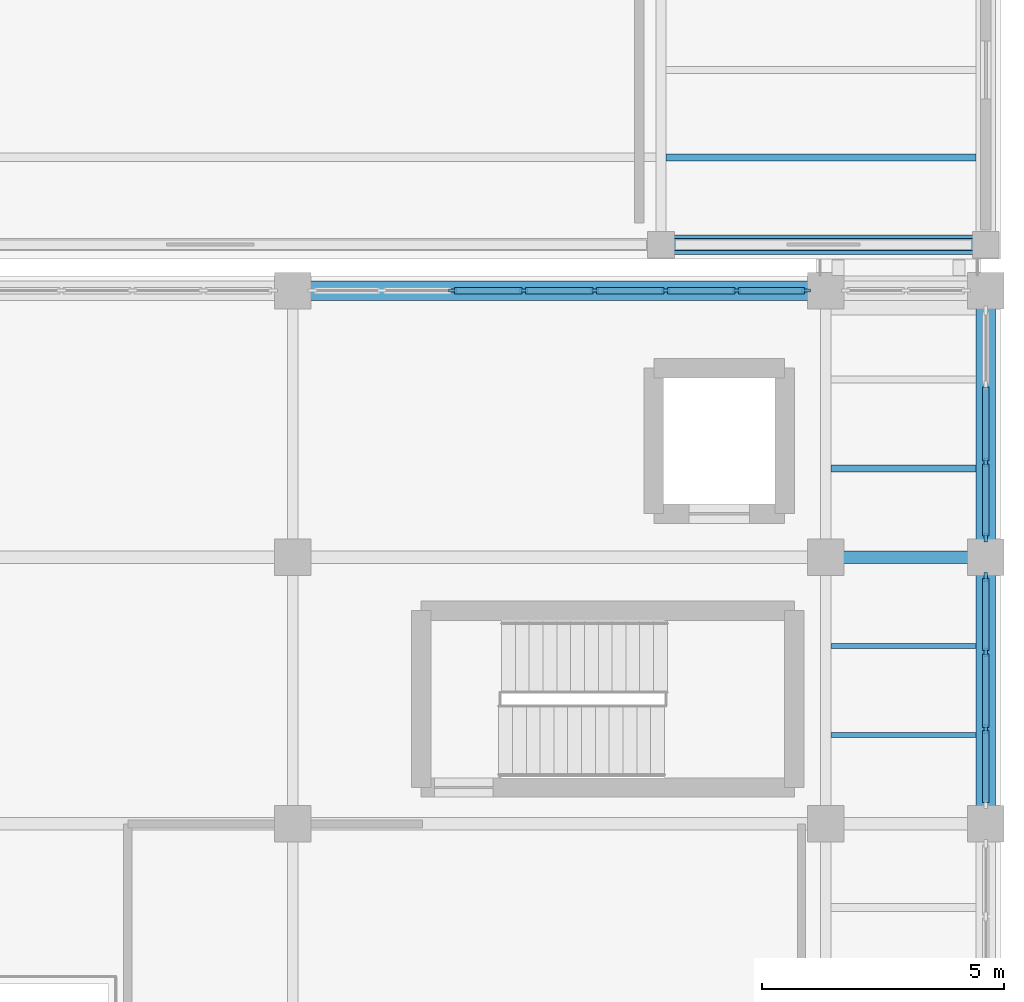
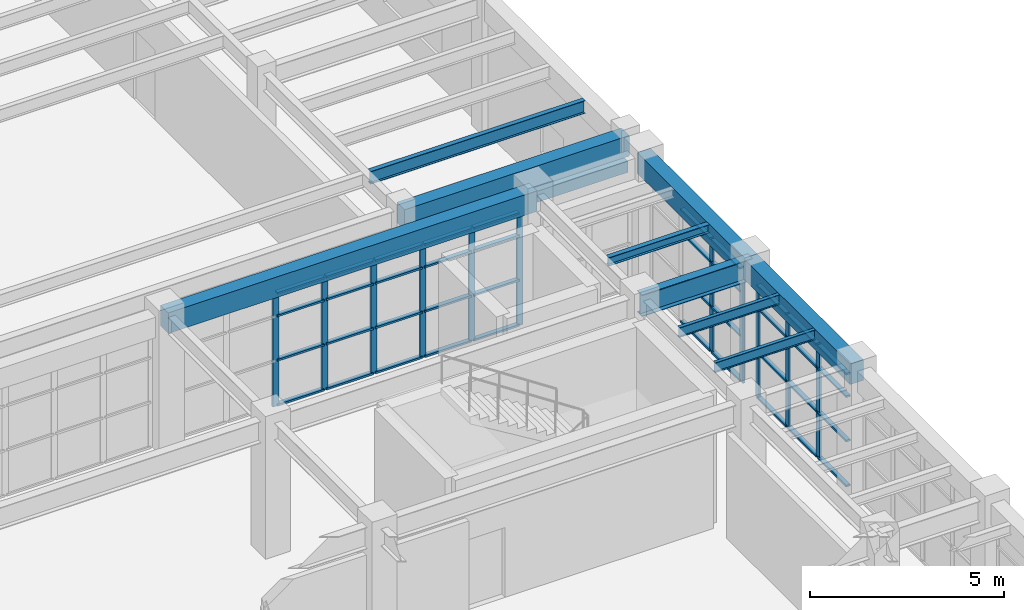
# One storey, part 45 of 85: 51 members, 10 beams, 3 elements without a shape of their own.
"""IFC4 building model written with IfcOpenShell, lengths in metres."""

from ifc_helpers import new_model, si_unit, direction, frame, origin, origin_2d, place, context, subcontext, project, spatial, rectangle, i_section, extrude, material, layer, layer_set, material_profile, profile_set, type_object, element, aggregate, save


model = new_model("IFC4")

# Units and contexts
model_context = context("Model", 3, precision=1e-05, world=origin(), true_north=direction((0.0, 1.0)))
body_context = subcontext(model_context, "Body", "Model", "MODEL_VIEW")
ifc_project = project(units=[si_unit("LENGTHUNIT", "METRE"), si_unit("AREAUNIT", "SQUARE_METRE"), si_unit("VOLUMEUNIT", "CUBIC_METRE"), si_unit("PLANEANGLEUNIT", "RADIAN"), si_unit("MASSUNIT", "GRAM", prefix="KILO")], contexts=[model_context])

# Site, building, storey
site_placement = place(None, origin())
site = spatial("IfcSite", under=ifc_project, at=site_placement, CompositionType="ELEMENT")
building_placement = place(site_placement, origin())
building = spatial("IfcBuilding", under=site, at=building_placement, Name="Candilejo Ridge Gondola Terminal", CompositionType="ELEMENT")
storey_placement = place(building_placement, frame((0.0, 0.0, 4.5)))
storey = spatial("IfcBuildingStorey", under=building, at=storey_placement, Name="L01", CompositionType="ELEMENT", Elevation=4.5)

# Curtain wall, members
ifc_material_1 = material(Name="Anodised aluminium AA 6063-T6", Category="aluminium")
ifc_layer_1 = layer(ifc_material_1, 0.169921875)
ifc_layer_set_1 = layer_set([ifc_layer_1], Name="ARC-CW-HALL-3800-475X359")
curtain_wall_type_1 = type_object("IfcCurtainWallType", Name="ARC-CW-HALL-3800-475X359", PredefinedType="NOTDEFINED", material=ifc_layer_set_1)
curtain_wall_1_placement = place(storey_placement, origin())
curtain_wall_1 = element("IfcCurtainWall", 1, at=curtain_wall_1_placement, inside=storey, type_object=curtain_wall_type_1, Name="Curtain wall V4 L01-119", PredefinedType="NOTDEFINED")
ifc_material_2 = material(Name="Anodised aluminium AA 6063-T6", Category="aluminium")
ifc_material_profile_1 = material_profile(ifc_material_2, rectangle(XDim=0.06494140625, YDim=0.179931640625, at=origin_2d()))
ifc_profile_set_1 = profile_set([ifc_material_profile_1], Name="Anodised aluminium AA 6063-T6")
member_type_1 = type_object("IfcMemberType", Name="ARC-CW-MULLION-180", PredefinedType="MULLION", material=ifc_profile_set_1)
member_1_placement = place(storey_placement, frame((175.300048828125, 38.658447265625, 0.0), z_axis=(0.0, 0.0, 1.0), x_axis=(-1.0, 0.0, 0.0)))
member_1 = element("IfcMember", 2, at=member_1_placement, type_object=member_type_1, Name="CW-47X35 mullion 2", PredefinedType="MULLION", context=body_context, shape_type="SweptSolid", body=[
    extrude(rectangle(XDim=0.06494140625, YDim=0.179931640625, at=origin_2d()), origin(), (0.0, 0.0, 1.0), 3.590087890625),
])
member_2_placement = place(storey_placement, frame((175.300048828125, 40.24169921875, 0.0), z_axis=(0.0, 0.0, 1.0), x_axis=(-1.0, 0.0, 0.0)))
member_2 = element("IfcMember", 3, at=member_2_placement, type_object=member_type_1, Name="CW-47X35 mullion 3", PredefinedType="MULLION", context=body_context, shape_type="SweptSolid", body=[
    extrude(rectangle(XDim=0.06494140625, YDim=0.179931640625, at=origin_2d()), origin(), (0.0, 0.0, 1.0), 3.590087890625),
])
member_3_placement = place(storey_placement, frame((175.300048828125, 41.79248046875, 0.0), z_axis=(0.0, 0.0, 1.0), x_axis=(-1.0, 0.0, 0.0)))
member_3 = element("IfcMember", 4, at=member_3_placement, type_object=member_type_1, Name="CW-47X35 mullion 4", PredefinedType="MULLION", context=body_context, shape_type="SweptSolid", body=[
    extrude(rectangle(XDim=0.06494140625, YDim=0.179931640625, at=origin_2d()), origin(), (0.0, 0.0, 1.0), 3.590087890625),
])

curtain_wall_2_placement = place(storey_placement, origin())
curtain_wall_2 = element("IfcCurtainWall", 5, at=curtain_wall_2_placement, inside=storey, type_object=curtain_wall_type_1, Name="Curtain wall V4 L01-121", PredefinedType="NOTDEFINED")
member_4_placement = place(storey_placement, frame((175.300048828125, 42.607421875, 0.0), z_axis=(0.0, 0.0, 1.0), x_axis=(-1.0, 0.0, 0.0)))
member_4 = element("IfcMember", 6, at=member_4_placement, type_object=member_type_1, Name="CW-47X35 mullion 1", PredefinedType="MULLION", context=body_context, shape_type="SweptSolid", body=[
    extrude(rectangle(XDim=0.06494140625, YDim=0.179931640625, at=origin_2d()), origin(), (0.0, 0.0, 1.0), 3.590087890625),
])
member_5_placement = place(storey_placement, frame((175.300048828125, 44.158447265625, 0.0), z_axis=(0.0, 0.0, 1.0), x_axis=(-1.0, 0.0, 0.0)))
member_5 = element("IfcMember", 7, at=member_5_placement, type_object=member_type_1, Name="CW-47X35 mullion 2", PredefinedType="MULLION", context=body_context, shape_type="SweptSolid", body=[
    extrude(rectangle(XDim=0.06494140625, YDim=0.179931640625, at=origin_2d()), origin(), (0.0, 0.0, 1.0), 3.590087890625),
])

ifc_material_3 = material(Name="Anodised aluminium AA 6063-T6", Category="aluminium")
ifc_layer_2 = layer(ifc_material_3, 0.169921875)
ifc_layer_set_2 = layer_set([ifc_layer_2], Name="ARC-CW-HALL-3800-1025X359")
curtain_wall_type_2 = type_object("IfcCurtainWallType", Name="ARC-CW-HALL-3800-1025X359", PredefinedType="NOTDEFINED", material=ifc_layer_set_2)
curtain_wall_3_placement = place(storey_placement, origin())
curtain_wall_3 = element("IfcCurtainWall", 8, at=curtain_wall_3_placement, inside=storey, type_object=curtain_wall_type_2, Name="Curtain wall V4 L01-129", PredefinedType="NOTDEFINED")
member_6_placement = place(storey_placement, frame((164.303466796875, 47.699951171875, 0.0), z_axis=(0.0, 0.0, 1.0), x_axis=(0.0, 1.0, 0.0)))
member_6 = element("IfcMember", 9, at=member_6_placement, type_object=member_type_1, Name="CW-102X35 mullion 3", PredefinedType="MULLION", context=body_context, shape_type="SweptSolid", body=[
    extrude(rectangle(XDim=0.06494140625, YDim=0.179931640625, at=origin_2d()), origin(), (0.0, 0.0, 1.0), 3.590087890625),
])
member_7_placement = place(storey_placement, frame((165.767822265625, 47.699951171875, 0.0), z_axis=(0.0, 0.0, 1.0), x_axis=(0.0, 1.0, 0.0)))
member_7 = element("IfcMember", 10, at=member_7_placement, type_object=member_type_1, Name="CW-102X35 mullion 4", PredefinedType="MULLION", context=body_context, shape_type="SweptSolid", body=[
    extrude(rectangle(XDim=0.06494140625, YDim=0.179931640625, at=origin_2d()), origin(), (0.0, 0.0, 1.0), 3.590087890625),
])
member_8_placement = place(storey_placement, frame((167.232177734375, 47.699951171875, 0.0), z_axis=(0.0, 0.0, 1.0), x_axis=(0.0, 1.0, 0.0)))
member_8 = element("IfcMember", 11, at=member_8_placement, type_object=member_type_1, Name="CW-102X35 mullion 5", PredefinedType="MULLION", context=body_context, shape_type="SweptSolid", body=[
    extrude(rectangle(XDim=0.06494140625, YDim=0.179931640625, at=origin_2d()), origin(), (0.0, 0.0, 1.0), 3.590087890625),
])
member_9_placement = place(storey_placement, frame((168.696533203125, 47.699951171875, 0.0), z_axis=(0.0, 0.0, 1.0), x_axis=(0.0, 1.0, 0.0)))
member_9 = element("IfcMember", 12, at=member_9_placement, type_object=member_type_1, Name="CW-102X35 mullion 6", PredefinedType="MULLION", context=body_context, shape_type="SweptSolid", body=[
    extrude(rectangle(XDim=0.06494140625, YDim=0.179931640625, at=origin_2d()), origin(), (0.0, 0.0, 1.0), 3.590087890625),
])
member_10_placement = place(storey_placement, frame((170.16064453125, 47.699951171875, 0.0), z_axis=(0.0, 0.0, 1.0), x_axis=(0.0, 1.0, 0.0)))
member_10 = element("IfcMember", 13, at=member_10_placement, type_object=member_type_1, Name="CW-102X35 mullion 7", PredefinedType="MULLION", context=body_context, shape_type="SweptSolid", body=[
    extrude(rectangle(XDim=0.06494140625, YDim=0.179931640625, at=origin_2d()), origin(), (0.0, 0.0, 1.0), 3.590087890625),
])
member_11_placement = place(storey_placement, frame((171.592529296875, 47.699951171875, 0.0), z_axis=(0.0, 0.0, 1.0), x_axis=(0.0, 1.0, 0.0)))
member_11 = element("IfcMember", 14, at=member_11_placement, type_object=member_type_1, Name="CW-102X35 mullion 8", PredefinedType="MULLION", context=body_context, shape_type="SweptSolid", body=[
    extrude(rectangle(XDim=0.06494140625, YDim=0.179931640625, at=origin_2d()), origin(), (0.0, 0.0, 1.0), 3.590087890625),
])

# Member
ifc_material_4 = material(Name="Anodised aluminium AA 6063-T6", Category="aluminium")
ifc_material_profile_2 = material_profile(ifc_material_4, rectangle(XDim=0.1298828125, YDim=0.06005859375, at=origin_2d()))
ifc_profile_set_2 = profile_set([ifc_material_profile_2], Name="Anodised aluminium AA 6063-T6")
member_type_2 = type_object("IfcMemberType", Name="ARC-CW-TRANSOM-130", PredefinedType="USERDEFINED", material=ifc_profile_set_2)
member_12_placement = place(storey_placement, frame((175.300048828125, 37.139892578125, 0.030029296875), z_axis=(0.0, 1.0, 0.0), x_axis=(-1.0, 0.0, 0.0)))
member_12 = element("IfcMember", 15, at=member_12_placement, type_object=member_type_2, Name="CW-47X35 transom 1.1", ObjectType="TRANSOM", PredefinedType="USERDEFINED", context=body_context, shape_type="SweptSolid", body=[
    extrude(rectangle(XDim=0.1298828125, YDim=0.06005859375, at=origin_2d()), origin(), (0.0, 0.0, 1.0), 1.48583984375),
])

member_13_placement = place(storey_placement, frame((175.300048828125, 37.139892578125, 1.449951171875), z_axis=(0.0, 1.0, 0.0), x_axis=(-1.0, 0.0, 0.0)))
member_13 = element("IfcMember", 16, at=member_13_placement, type_object=member_type_2, Name="CW-47X35 transom 1.2", ObjectType="TRANSOM", PredefinedType="USERDEFINED", context=body_context, shape_type="SweptSolid", body=[
    extrude(rectangle(XDim=0.1298828125, YDim=0.06005859375, at=origin_2d()), origin(), (0.0, 0.0, 1.0), 1.48583984375),
])

member_14_placement = place(storey_placement, frame((175.300048828125, 37.139892578125, 2.85009765625), z_axis=(0.0, 1.0, 0.0), x_axis=(-1.0, 0.0, 0.0)))
member_14 = element("IfcMember", 17, at=member_14_placement, type_object=member_type_2, Name="CW-47X35 transom 1.3", ObjectType="TRANSOM", PredefinedType="USERDEFINED", context=body_context, shape_type="SweptSolid", body=[
    extrude(rectangle(XDim=0.1298828125, YDim=0.06005859375, at=origin_2d()), origin(), (0.0, 0.0, 1.0), 1.48583984375),
])

member_15_placement = place(storey_placement, frame((175.300048828125, 37.139892578125, 3.56005859375), z_axis=(0.0, 1.0, 0.0), x_axis=(-1.0, 0.0, 0.0)))
member_15 = element("IfcMember", 18, at=member_15_placement, type_object=member_type_2, Name="CW-47X35 transom 1.4", ObjectType="TRANSOM", PredefinedType="USERDEFINED", context=body_context, shape_type="SweptSolid", body=[
    extrude(rectangle(XDim=0.1298828125, YDim=0.06005859375, at=origin_2d()), origin(), (0.0, 0.0, 1.0), 1.48583984375),
])

member_16_placement = place(storey_placement, frame((175.300048828125, 38.69091796875, 0.030029296875), z_axis=(0.0, 1.0, 0.0), x_axis=(-1.0, 0.0, 0.0)))
member_16 = element("IfcMember", 19, at=member_16_placement, type_object=member_type_2, Name="CW-47X35 transom 2.1", ObjectType="TRANSOM", PredefinedType="USERDEFINED", context=body_context, shape_type="SweptSolid", body=[
    extrude(rectangle(XDim=0.1298828125, YDim=0.06005859375, at=origin_2d()), origin(), (0.0, 0.0, 1.0), 1.518310546875),
])

member_17_placement = place(storey_placement, frame((175.300048828125, 38.69091796875, 1.449951171875), z_axis=(0.0, 1.0, 0.0), x_axis=(-1.0, 0.0, 0.0)))
member_17 = element("IfcMember", 20, at=member_17_placement, type_object=member_type_2, Name="CW-47X35 transom 2.2", ObjectType="TRANSOM", PredefinedType="USERDEFINED", context=body_context, shape_type="SweptSolid", body=[
    extrude(rectangle(XDim=0.1298828125, YDim=0.06005859375, at=origin_2d()), origin(), (0.0, 0.0, 1.0), 1.518310546875),
])

member_18_placement = place(storey_placement, frame((175.300048828125, 38.69091796875, 2.85009765625), z_axis=(0.0, 1.0, 0.0), x_axis=(-1.0, 0.0, 0.0)))
member_18 = element("IfcMember", 21, at=member_18_placement, type_object=member_type_2, Name="CW-47X35 transom 2.3", ObjectType="TRANSOM", PredefinedType="USERDEFINED", context=body_context, shape_type="SweptSolid", body=[
    extrude(rectangle(XDim=0.1298828125, YDim=0.06005859375, at=origin_2d()), origin(), (0.0, 0.0, 1.0), 1.518310546875),
])

member_19_placement = place(storey_placement, frame((175.300048828125, 38.69091796875, 3.56005859375), z_axis=(0.0, 1.0, 0.0), x_axis=(-1.0, 0.0, 0.0)))
member_19 = element("IfcMember", 22, at=member_19_placement, type_object=member_type_2, Name="CW-47X35 transom 2.4", ObjectType="TRANSOM", PredefinedType="USERDEFINED", context=body_context, shape_type="SweptSolid", body=[
    extrude(rectangle(XDim=0.1298828125, YDim=0.06005859375, at=origin_2d()), origin(), (0.0, 0.0, 1.0), 1.518310546875),
])

member_20_placement = place(storey_placement, frame((175.300048828125, 40.274169921875, 0.030029296875), z_axis=(0.0, 1.0, 0.0), x_axis=(-1.0, 0.0, 0.0)))
member_20 = element("IfcMember", 23, at=member_20_placement, type_object=member_type_2, Name="CW-47X35 transom 3.1", ObjectType="TRANSOM", PredefinedType="USERDEFINED", context=body_context, shape_type="SweptSolid", body=[
    extrude(rectangle(XDim=0.1298828125, YDim=0.06005859375, at=origin_2d()), origin(), (0.0, 0.0, 1.0), 1.48583984375),
])

member_21_placement = place(storey_placement, frame((175.300048828125, 40.274169921875, 1.449951171875), z_axis=(0.0, 1.0, 0.0), x_axis=(-1.0, 0.0, 0.0)))
member_21 = element("IfcMember", 24, at=member_21_placement, type_object=member_type_2, Name="CW-47X35 transom 3.2", ObjectType="TRANSOM", PredefinedType="USERDEFINED", context=body_context, shape_type="SweptSolid", body=[
    extrude(rectangle(XDim=0.1298828125, YDim=0.06005859375, at=origin_2d()), origin(), (0.0, 0.0, 1.0), 1.48583984375),
])

member_22_placement = place(storey_placement, frame((175.300048828125, 40.274169921875, 2.85009765625), z_axis=(0.0, 1.0, 0.0), x_axis=(-1.0, 0.0, 0.0)))
member_22 = element("IfcMember", 25, at=member_22_placement, type_object=member_type_2, Name="CW-47X35 transom 3.3", ObjectType="TRANSOM", PredefinedType="USERDEFINED", context=body_context, shape_type="SweptSolid", body=[
    extrude(rectangle(XDim=0.1298828125, YDim=0.06005859375, at=origin_2d()), origin(), (0.0, 0.0, 1.0), 1.48583984375),
])

member_23_placement = place(storey_placement, frame((175.300048828125, 40.274169921875, 3.56005859375), z_axis=(0.0, 1.0, 0.0), x_axis=(-1.0, 0.0, 0.0)))
member_23 = element("IfcMember", 26, at=member_23_placement, type_object=member_type_2, Name="CW-47X35 transom 3.4", ObjectType="TRANSOM", PredefinedType="USERDEFINED", context=body_context, shape_type="SweptSolid", body=[
    extrude(rectangle(XDim=0.1298828125, YDim=0.06005859375, at=origin_2d()), origin(), (0.0, 0.0, 1.0), 1.48583984375),
])

aggregate(curtain_wall_1, [member_1, member_2, member_3, member_12, member_13, member_14, member_15, member_16, member_17, member_18, member_19, member_20, member_21, member_22, member_23])

member_24_placement = place(storey_placement, frame((175.300048828125, 42.639892578125, 0.030029296875), z_axis=(0.0, 1.0, 0.0), x_axis=(-1.0, 0.0, 0.0)))
member_24 = element("IfcMember", 27, at=member_24_placement, type_object=member_type_2, Name="CW-47X35 transom 1.1", ObjectType="TRANSOM", PredefinedType="USERDEFINED", context=body_context, shape_type="SweptSolid", body=[
    extrude(rectangle(XDim=0.1298828125, YDim=0.06005859375, at=origin_2d()), origin(), (0.0, 0.0, 1.0), 1.48583984375),
])

member_25_placement = place(storey_placement, frame((175.300048828125, 42.639892578125, 1.449951171875), z_axis=(0.0, 1.0, 0.0), x_axis=(-1.0, 0.0, 0.0)))
member_25 = element("IfcMember", 28, at=member_25_placement, type_object=member_type_2, Name="CW-47X35 transom 1.2", ObjectType="TRANSOM", PredefinedType="USERDEFINED", context=body_context, shape_type="SweptSolid", body=[
    extrude(rectangle(XDim=0.1298828125, YDim=0.06005859375, at=origin_2d()), origin(), (0.0, 0.0, 1.0), 1.48583984375),
])

member_26_placement = place(storey_placement, frame((175.300048828125, 42.639892578125, 2.85009765625), z_axis=(0.0, 1.0, 0.0), x_axis=(-1.0, 0.0, 0.0)))
member_26 = element("IfcMember", 29, at=member_26_placement, type_object=member_type_2, Name="CW-47X35 transom 1.3", ObjectType="TRANSOM", PredefinedType="USERDEFINED", context=body_context, shape_type="SweptSolid", body=[
    extrude(rectangle(XDim=0.1298828125, YDim=0.06005859375, at=origin_2d()), origin(), (0.0, 0.0, 1.0), 1.48583984375),
])

member_27_placement = place(storey_placement, frame((175.300048828125, 42.639892578125, 3.56005859375), z_axis=(0.0, 1.0, 0.0), x_axis=(-1.0, 0.0, 0.0)))
member_27 = element("IfcMember", 30, at=member_27_placement, type_object=member_type_2, Name="CW-47X35 transom 1.4", ObjectType="TRANSOM", PredefinedType="USERDEFINED", context=body_context, shape_type="SweptSolid", body=[
    extrude(rectangle(XDim=0.1298828125, YDim=0.06005859375, at=origin_2d()), origin(), (0.0, 0.0, 1.0), 1.48583984375),
])

member_28_placement = place(storey_placement, frame((175.300048828125, 44.19091796875, 0.030029296875), z_axis=(0.0, 1.0, 0.0), x_axis=(-1.0, 0.0, 0.0)))
member_28 = element("IfcMember", 31, at=member_28_placement, type_object=member_type_2, Name="CW-47X35 transom 2.1", ObjectType="TRANSOM", PredefinedType="USERDEFINED", context=body_context, shape_type="SweptSolid", body=[
    extrude(rectangle(XDim=0.1298828125, YDim=0.06005859375, at=origin_2d()), origin(), (0.0, 0.0, 1.0), 1.518310546875),
])

member_29_placement = place(storey_placement, frame((175.300048828125, 44.19091796875, 1.449951171875), z_axis=(0.0, 1.0, 0.0), x_axis=(-1.0, 0.0, 0.0)))
member_29 = element("IfcMember", 32, at=member_29_placement, type_object=member_type_2, Name="CW-47X35 transom 2.2", ObjectType="TRANSOM", PredefinedType="USERDEFINED", context=body_context, shape_type="SweptSolid", body=[
    extrude(rectangle(XDim=0.1298828125, YDim=0.06005859375, at=origin_2d()), origin(), (0.0, 0.0, 1.0), 1.518310546875),
])

member_30_placement = place(storey_placement, frame((175.300048828125, 44.19091796875, 2.85009765625), z_axis=(0.0, 1.0, 0.0), x_axis=(-1.0, 0.0, 0.0)))
member_30 = element("IfcMember", 33, at=member_30_placement, type_object=member_type_2, Name="CW-47X35 transom 2.3", ObjectType="TRANSOM", PredefinedType="USERDEFINED", context=body_context, shape_type="SweptSolid", body=[
    extrude(rectangle(XDim=0.1298828125, YDim=0.06005859375, at=origin_2d()), origin(), (0.0, 0.0, 1.0), 1.518310546875),
])

member_31_placement = place(storey_placement, frame((175.300048828125, 44.19091796875, 3.56005859375), z_axis=(0.0, 1.0, 0.0), x_axis=(-1.0, 0.0, 0.0)))
member_31 = element("IfcMember", 34, at=member_31_placement, type_object=member_type_2, Name="CW-47X35 transom 2.4", ObjectType="TRANSOM", PredefinedType="USERDEFINED", context=body_context, shape_type="SweptSolid", body=[
    extrude(rectangle(XDim=0.1298828125, YDim=0.06005859375, at=origin_2d()), origin(), (0.0, 0.0, 1.0), 1.518310546875),
])

aggregate(curtain_wall_2, [member_4, member_5, member_24, member_25, member_26, member_27, member_28, member_29, member_30, member_31])

member_32_placement = place(storey_placement, frame((164.336181640625, 47.699951171875, 0.030029296875), z_axis=(1.0, 0.0, 0.0), x_axis=(0.0, 1.0, 0.0)))
member_32 = element("IfcMember", 35, at=member_32_placement, type_object=member_type_2, Name="CW-102X35 transom 3.1", ObjectType="TRANSOM", PredefinedType="USERDEFINED", context=body_context, shape_type="SweptSolid", body=[
    extrude(rectangle(XDim=0.1298828125, YDim=0.06005859375, at=origin_2d()), origin(), (0.0, 0.0, 1.0), 1.399169921875),
])

member_33_placement = place(storey_placement, frame((164.336181640625, 47.699951171875, 1.449951171875), z_axis=(1.0, 0.0, 0.0), x_axis=(0.0, 1.0, 0.0)))
member_33 = element("IfcMember", 36, at=member_33_placement, type_object=member_type_2, Name="CW-102X35 transom 3.2", ObjectType="TRANSOM", PredefinedType="USERDEFINED", context=body_context, shape_type="SweptSolid", body=[
    extrude(rectangle(XDim=0.1298828125, YDim=0.06005859375, at=origin_2d()), origin(), (0.0, 0.0, 1.0), 1.399169921875),
])

member_34_placement = place(storey_placement, frame((164.336181640625, 47.699951171875, 2.85009765625), z_axis=(1.0, 0.0, 0.0), x_axis=(0.0, 1.0, 0.0)))
member_34 = element("IfcMember", 37, at=member_34_placement, type_object=member_type_2, Name="CW-102X35 transom 3.3", ObjectType="TRANSOM", PredefinedType="USERDEFINED", context=body_context, shape_type="SweptSolid", body=[
    extrude(rectangle(XDim=0.1298828125, YDim=0.06005859375, at=origin_2d()), origin(), (0.0, 0.0, 1.0), 1.399169921875),
])

member_35_placement = place(storey_placement, frame((164.336181640625, 47.699951171875, 3.56005859375), z_axis=(1.0, 0.0, 0.0), x_axis=(0.0, 1.0, 0.0)))
member_35 = element("IfcMember", 38, at=member_35_placement, type_object=member_type_2, Name="CW-102X35 transom 3.4", ObjectType="TRANSOM", PredefinedType="USERDEFINED", context=body_context, shape_type="SweptSolid", body=[
    extrude(rectangle(XDim=0.1298828125, YDim=0.06005859375, at=origin_2d()), origin(), (0.0, 0.0, 1.0), 1.399169921875),
])

member_36_placement = place(storey_placement, frame((165.80029296875, 47.699951171875, 0.030029296875), z_axis=(1.0, 0.0, 0.0), x_axis=(0.0, 1.0, 0.0)))
member_36 = element("IfcMember", 39, at=member_36_placement, type_object=member_type_2, Name="CW-102X35 transom 4.1", ObjectType="TRANSOM", PredefinedType="USERDEFINED", context=body_context, shape_type="SweptSolid", body=[
    extrude(rectangle(XDim=0.1298828125, YDim=0.06005859375, at=origin_2d()), origin(), (0.0, 0.0, 1.0), 1.3994140625),
])

member_37_placement = place(storey_placement, frame((165.80029296875, 47.699951171875, 1.449951171875), z_axis=(1.0, 0.0, 0.0), x_axis=(0.0, 1.0, 0.0)))
member_37 = element("IfcMember", 40, at=member_37_placement, type_object=member_type_2, Name="CW-102X35 transom 4.2", ObjectType="TRANSOM", PredefinedType="USERDEFINED", context=body_context, shape_type="SweptSolid", body=[
    extrude(rectangle(XDim=0.1298828125, YDim=0.06005859375, at=origin_2d()), origin(), (0.0, 0.0, 1.0), 1.3994140625),
])

member_38_placement = place(storey_placement, frame((165.80029296875, 47.699951171875, 2.85009765625), z_axis=(1.0, 0.0, 0.0), x_axis=(0.0, 1.0, 0.0)))
member_38 = element("IfcMember", 41, at=member_38_placement, type_object=member_type_2, Name="CW-102X35 transom 4.3", ObjectType="TRANSOM", PredefinedType="USERDEFINED", context=body_context, shape_type="SweptSolid", body=[
    extrude(rectangle(XDim=0.1298828125, YDim=0.06005859375, at=origin_2d()), origin(), (0.0, 0.0, 1.0), 1.3994140625),
])

member_39_placement = place(storey_placement, frame((165.80029296875, 47.699951171875, 3.56005859375), z_axis=(1.0, 0.0, 0.0), x_axis=(0.0, 1.0, 0.0)))
member_39 = element("IfcMember", 42, at=member_39_placement, type_object=member_type_2, Name="CW-102X35 transom 4.4", ObjectType="TRANSOM", PredefinedType="USERDEFINED", context=body_context, shape_type="SweptSolid", body=[
    extrude(rectangle(XDim=0.1298828125, YDim=0.06005859375, at=origin_2d()), origin(), (0.0, 0.0, 1.0), 1.3994140625),
])

member_40_placement = place(storey_placement, frame((167.2646484375, 47.699951171875, 0.030029296875), z_axis=(1.0, 0.0, 0.0), x_axis=(0.0, 1.0, 0.0)))
member_40 = element("IfcMember", 43, at=member_40_placement, type_object=member_type_2, Name="CW-102X35 transom 5.1", ObjectType="TRANSOM", PredefinedType="USERDEFINED", context=body_context, shape_type="SweptSolid", body=[
    extrude(rectangle(XDim=0.1298828125, YDim=0.06005859375, at=origin_2d()), origin(), (0.0, 0.0, 1.0), 1.399169921875),
])

member_41_placement = place(storey_placement, frame((167.2646484375, 47.699951171875, 1.449951171875), z_axis=(1.0, 0.0, 0.0), x_axis=(0.0, 1.0, 0.0)))
member_41 = element("IfcMember", 44, at=member_41_placement, type_object=member_type_2, Name="CW-102X35 transom 5.2", ObjectType="TRANSOM", PredefinedType="USERDEFINED", context=body_context, shape_type="SweptSolid", body=[
    extrude(rectangle(XDim=0.1298828125, YDim=0.06005859375, at=origin_2d()), origin(), (0.0, 0.0, 1.0), 1.399169921875),
])

member_42_placement = place(storey_placement, frame((167.2646484375, 47.699951171875, 2.85009765625), z_axis=(1.0, 0.0, 0.0), x_axis=(0.0, 1.0, 0.0)))
member_42 = element("IfcMember", 45, at=member_42_placement, type_object=member_type_2, Name="CW-102X35 transom 5.3", ObjectType="TRANSOM", PredefinedType="USERDEFINED", context=body_context, shape_type="SweptSolid", body=[
    extrude(rectangle(XDim=0.1298828125, YDim=0.06005859375, at=origin_2d()), origin(), (0.0, 0.0, 1.0), 1.399169921875),
])

member_43_placement = place(storey_placement, frame((167.2646484375, 47.699951171875, 3.56005859375), z_axis=(1.0, 0.0, 0.0), x_axis=(0.0, 1.0, 0.0)))
member_43 = element("IfcMember", 46, at=member_43_placement, type_object=member_type_2, Name="CW-102X35 transom 5.4", ObjectType="TRANSOM", PredefinedType="USERDEFINED", context=body_context, shape_type="SweptSolid", body=[
    extrude(rectangle(XDim=0.1298828125, YDim=0.06005859375, at=origin_2d()), origin(), (0.0, 0.0, 1.0), 1.399169921875),
])

member_44_placement = place(storey_placement, frame((168.72900390625, 47.699951171875, 0.030029296875), z_axis=(1.0, 0.0, 0.0), x_axis=(0.0, 1.0, 0.0)))
member_44 = element("IfcMember", 47, at=member_44_placement, type_object=member_type_2, Name="CW-102X35 transom 6.1", ObjectType="TRANSOM", PredefinedType="USERDEFINED", context=body_context, shape_type="SweptSolid", body=[
    extrude(rectangle(XDim=0.1298828125, YDim=0.06005859375, at=origin_2d()), origin(), (0.0, 0.0, 1.0), 1.399169921875),
])

member_45_placement = place(storey_placement, frame((168.72900390625, 47.699951171875, 1.449951171875), z_axis=(1.0, 0.0, 0.0), x_axis=(0.0, 1.0, 0.0)))
member_45 = element("IfcMember", 48, at=member_45_placement, type_object=member_type_2, Name="CW-102X35 transom 6.2", ObjectType="TRANSOM", PredefinedType="USERDEFINED", context=body_context, shape_type="SweptSolid", body=[
    extrude(rectangle(XDim=0.1298828125, YDim=0.06005859375, at=origin_2d()), origin(), (0.0, 0.0, 1.0), 1.399169921875),
])

member_46_placement = place(storey_placement, frame((168.72900390625, 47.699951171875, 2.85009765625), z_axis=(1.0, 0.0, 0.0), x_axis=(0.0, 1.0, 0.0)))
member_46 = element("IfcMember", 49, at=member_46_placement, type_object=member_type_2, Name="CW-102X35 transom 6.3", ObjectType="TRANSOM", PredefinedType="USERDEFINED", context=body_context, shape_type="SweptSolid", body=[
    extrude(rectangle(XDim=0.1298828125, YDim=0.06005859375, at=origin_2d()), origin(), (0.0, 0.0, 1.0), 1.399169921875),
])

member_47_placement = place(storey_placement, frame((168.72900390625, 47.699951171875, 3.56005859375), z_axis=(1.0, 0.0, 0.0), x_axis=(0.0, 1.0, 0.0)))
member_47 = element("IfcMember", 50, at=member_47_placement, type_object=member_type_2, Name="CW-102X35 transom 6.4", ObjectType="TRANSOM", PredefinedType="USERDEFINED", context=body_context, shape_type="SweptSolid", body=[
    extrude(rectangle(XDim=0.1298828125, YDim=0.06005859375, at=origin_2d()), origin(), (0.0, 0.0, 1.0), 1.399169921875),
])

member_48_placement = place(storey_placement, frame((170.193115234375, 47.699951171875, 0.030029296875), z_axis=(1.0, 0.0, 0.0), x_axis=(0.0, 1.0, 0.0)))
member_48 = element("IfcMember", 51, at=member_48_placement, type_object=member_type_2, Name="CW-102X35 transom 7.1", ObjectType="TRANSOM", PredefinedType="USERDEFINED", context=body_context, shape_type="SweptSolid", body=[
    extrude(rectangle(XDim=0.1298828125, YDim=0.06005859375, at=origin_2d()), origin(), (0.0, 0.0, 1.0), 1.366943359375),
])

member_49_placement = place(storey_placement, frame((170.193115234375, 47.699951171875, 1.449951171875), z_axis=(1.0, 0.0, 0.0), x_axis=(0.0, 1.0, 0.0)))
member_49 = element("IfcMember", 52, at=member_49_placement, type_object=member_type_2, Name="CW-102X35 transom 7.2", ObjectType="TRANSOM", PredefinedType="USERDEFINED", context=body_context, shape_type="SweptSolid", body=[
    extrude(rectangle(XDim=0.1298828125, YDim=0.06005859375, at=origin_2d()), origin(), (0.0, 0.0, 1.0), 1.366943359375),
])

member_50_placement = place(storey_placement, frame((170.193115234375, 47.699951171875, 2.85009765625), z_axis=(1.0, 0.0, 0.0), x_axis=(0.0, 1.0, 0.0)))
member_50 = element("IfcMember", 53, at=member_50_placement, type_object=member_type_2, Name="CW-102X35 transom 7.3", ObjectType="TRANSOM", PredefinedType="USERDEFINED", context=body_context, shape_type="SweptSolid", body=[
    extrude(rectangle(XDim=0.1298828125, YDim=0.06005859375, at=origin_2d()), origin(), (0.0, 0.0, 1.0), 1.366943359375),
])

member_51_placement = place(storey_placement, frame((170.193115234375, 47.699951171875, 3.56005859375), z_axis=(1.0, 0.0, 0.0), x_axis=(0.0, 1.0, 0.0)))
member_51 = element("IfcMember", 54, at=member_51_placement, type_object=member_type_2, Name="CW-102X35 transom 7.4", ObjectType="TRANSOM", PredefinedType="USERDEFINED", context=body_context, shape_type="SweptSolid", body=[
    extrude(rectangle(XDim=0.1298828125, YDim=0.06005859375, at=origin_2d()), origin(), (0.0, 0.0, 1.0), 1.366943359375),
])

aggregate(curtain_wall_3, [member_6, member_7, member_8, member_9, member_10, member_11, member_32, member_33, member_34, member_35, member_36, member_37, member_38, member_39, member_40, member_41, member_42, member_43, member_44, member_45, member_46, member_47, member_48, member_49, member_50, member_51])

# Beams
ifc_material_5 = material(Name="Steel ASTM A992 Grade 50", Category="steel")
ifc_material_profile_3 = material_profile(ifc_material_5, i_section(OverallWidth=0.25390625, OverallDepth=0.68408203125, WebThickness=0.012451171875, FlangeThickness=0.018798828125, at=origin_2d()))
ifc_profile_set_3 = profile_set([ifc_material_profile_3], Name="Steel ASTM A992 Grade 50")
beam_type_1 = type_object("IfcBeamType", Name="STR-BM-W690X140", PredefinedType="BEAM", material=ifc_profile_set_3)
beam_1_placement = place(storey_placement, frame((172.0, 42.199951171875, 3.85791015625), z_axis=(1.0, 0.0, 0.0), x_axis=(0.0, 1.0, 0.0)))
element("IfcBeam", 55, at=beam_1_placement, inside=storey, type_object=beam_type_1, Name="Beam X V4 L01 X26-X27@Y08", PredefinedType="BEAM", context=body_context, shape_type="SweptSolid", body=[
    extrude(i_section(OverallWidth=0.25390625, OverallDepth=0.68408203125, WebThickness=0.012451171875, FlangeThickness=0.018798828125, at=origin_2d()), origin(), (0.0, 0.0, 1.0), 3.300048828125),
])
ifc_material_6 = material(Name="Steel ASTM A992 Grade 50", Category="steel")
ifc_material_profile_4 = material_profile(ifc_material_6, i_section(OverallWidth=0.14794921875, OverallDepth=0.26611328125, WebThickness=0.007568359375, FlangeThickness=0.012939453125, at=origin_2d()))
ifc_profile_set_4 = profile_set([ifc_material_profile_4], Name="Steel ASTM A992 Grade 50")
beam_type_2 = type_object("IfcBeamType", Name="STR-JST-W250X45", PredefinedType="JOIST", material=ifc_profile_set_4)
beam_2_placement = place(storey_placement, frame((172.10546875, 44.033203125, 4.06689453125), z_axis=(1.0, 0.0, 0.0), x_axis=(0.0, 1.0, 0.0)))
element("IfcBeam", 56, at=beam_2_placement, inside=storey, type_object=beam_type_2, Name="Composite joist V4 L01-0919", PredefinedType="JOIST", context=body_context, shape_type="SweptSolid", body=[
    extrude(i_section(OverallWidth=0.14794921875, OverallDepth=0.26611328125, WebThickness=0.007568359375, FlangeThickness=0.012939453125, at=origin_2d()), origin(), (0.0, 0.0, 1.0), 2.99462890625),
])
ifc_material_7 = material(Name="Steel ASTM A992 Grade 50", Category="steel")
ifc_material_profile_5 = material_profile(ifc_material_7, i_section(OverallWidth=0.10205078125, OverallDepth=0.31298828125, WebThickness=0.006591796875, FlangeThickness=0.0107421875, at=origin_2d()))
ifc_profile_set_5 = profile_set([ifc_material_profile_5], Name="Steel ASTM A992 Grade 50")
beam_type_3 = type_object("IfcBeamType", Name="STR-JST-W310X33", PredefinedType="JOIST", material=ifc_profile_set_5)
for number, where, z_axis, x_axis, name in (
    (57, (172.10546875, 38.533203125, 4.04345703125), (1.0, 0.0, 0.0), (0.0, 1.0, 0.0), "Composite joist V4 L01-0917"),
    (58, (172.10546875, 40.36669921875, 4.04345703125), (1.0, 0.0, 0.0), (0.0, 1.0, 0.0), "Composite joist V4 L01-0918"),
):
    element("IfcBeam", number, at=place(storey_placement, frame(where, z_axis=z_axis, x_axis=x_axis)), inside=storey, type_object=beam_type_3, Name=name, PredefinedType="JOIST", context=body_context, shape_type="SweptSolid", body=[
        extrude(i_section(OverallWidth=0.10205078125, OverallDepth=0.31298828125, WebThickness=0.006591796875, FlangeThickness=0.0107421875, at=origin_2d()), origin(), (0.0, 0.0, 1.0), 2.99462890625),
    ])
ifc_material_8 = material(Name="Steel ASTM A992 Grade 50", Category="steel")
ifc_material_profile_6 = material_profile(ifc_material_8, i_section(OverallWidth=0.139892578125, OverallDepth=0.403076171875, WebThickness=0.007080078125, FlangeThickness=0.01123046875, at=origin_2d()))
ifc_profile_set_6 = profile_set([ifc_material_profile_6], Name="Steel ASTM A992 Grade 50")
beam_type_4 = type_object("IfcBeamType", Name="STR-JST-W410X46", PredefinedType="JOIST", material=ifc_profile_set_6)
beam_3_placement = place(storey_placement, frame((168.70458984375, 50.449951171875, 4.013427734375), z_axis=(1.0, 0.0, 0.0), x_axis=(0.0, 1.0, 0.0)))
element("IfcBeam", 59, at=beam_3_placement, inside=storey, type_object=beam_type_4, Name="Composite joist V5 L01-1224", PredefinedType="JOIST", context=body_context, shape_type="SweptSolid", body=[
    extrude(i_section(OverallWidth=0.139892578125, OverallDepth=0.403076171875, WebThickness=0.007080078125, FlangeThickness=0.01123046875, at=origin_2d()), origin(), (0.0, 0.0, 1.0), 6.3955078125),
])
ifc_material_9 = material(Name="Concrete f'c 35 MPa (C35/45)", Category="concrete")
ifc_material_profile_7 = material_profile(ifc_material_9, rectangle(XDim=0.25, YDim=0.35009765625, at=origin_2d()))
ifc_profile_set_7 = profile_set([ifc_material_profile_7], Name="Concrete f'c 35 MPa (C35/45)")
beam_type_5 = type_object("IfcBeamType", Name="STR-LNT-RC250X350", PredefinedType="LINTEL", material=ifc_profile_set_7)
beam_4_placement = place(storey_placement, frame((168.60009765625, 48.64990234375, 3.179931640625), z_axis=(1.0, 0.0, 0.0), x_axis=(0.0, 1.0, 0.0)))
element("IfcBeam", 60, at=beam_4_placement, inside=storey, type_object=beam_type_5, Name="Opening lintel L01-12", PredefinedType="LINTEL", context=body_context, shape_type="SweptSolid", body=[
    extrude(rectangle(XDim=0.25, YDim=0.35009765625, at=origin_2d()), origin(), (0.0, 0.0, 1.0), 6.699951171875),
])
ifc_material_10 = material(Name="Concrete f'c 35 MPa (C35/45)", Category="concrete")
ifc_material_profile_8 = material_profile(ifc_material_10, rectangle(XDim=0.39990234375, YDim=0.64990234375, at=origin_2d()))
ifc_profile_set_8 = profile_set([ifc_material_profile_8], Name="Concrete f'c 35 MPa (C35/45)")
beam_type_6 = type_object("IfcBeamType", Name="STR-SPN-RC400X650", PredefinedType="SPANDREL", material=ifc_profile_set_8)
beam_5_placement = place(storey_placement, frame((161.0, 47.699951171875, 3.875), z_axis=(1.0, 0.0, 0.0), x_axis=(0.0, 1.0, 0.0)))
element("IfcBeam", 61, at=beam_5_placement, inside=storey, type_object=beam_type_6, Name="Beam X V4 L01 X24-X26@Y09", PredefinedType="SPANDREL", context=body_context, shape_type="SweptSolid", body=[
    extrude(rectangle(XDim=0.39990234375, YDim=0.64990234375, at=origin_2d()), origin(), (0.0, 0.0, 1.0), 11.0),
])
for number, where, z_axis, x_axis, name in (
    (62, (175.300048828125, 36.699951171875, 3.875), (0.0, 1.0, 0.0), (-1.0, 0.0, 0.0), "Beam Y V4 L01 Y07-Y08@X27"),
    (63, (175.300048828125, 42.199951171875, 3.875), (0.0, 1.0, 0.0), (-1.0, 0.0, 0.0), "Beam Y V4 L01 Y08-Y09@X27"),
):
    element("IfcBeam", number, at=place(storey_placement, frame(where, z_axis=z_axis, x_axis=x_axis)), inside=storey, type_object=beam_type_6, Name=name, PredefinedType="SPANDREL", context=body_context, shape_type="SweptSolid", body=[
        extrude(rectangle(XDim=0.39990234375, YDim=0.64990234375, at=origin_2d()), origin(), (0.0, 0.0, 1.0), 5.5),
    ])
beam_6_placement = place(storey_placement, frame((168.60009765625, 48.64990234375, 3.889892578125), z_axis=(1.0, 0.0, 0.0), x_axis=(0.0, 1.0, 0.0)))
element("IfcBeam", 64, at=beam_6_placement, inside=storey, type_object=beam_type_6, Name="Beam X V5 L01 X25-X27@Y10", PredefinedType="SPANDREL", context=body_context, shape_type="SweptSolid", body=[
    extrude(rectangle(XDim=0.39990234375, YDim=0.64990234375, at=origin_2d()), origin(), (0.0, 0.0, 1.0), 6.699951171875),
])

save(model, "model.ifc")
